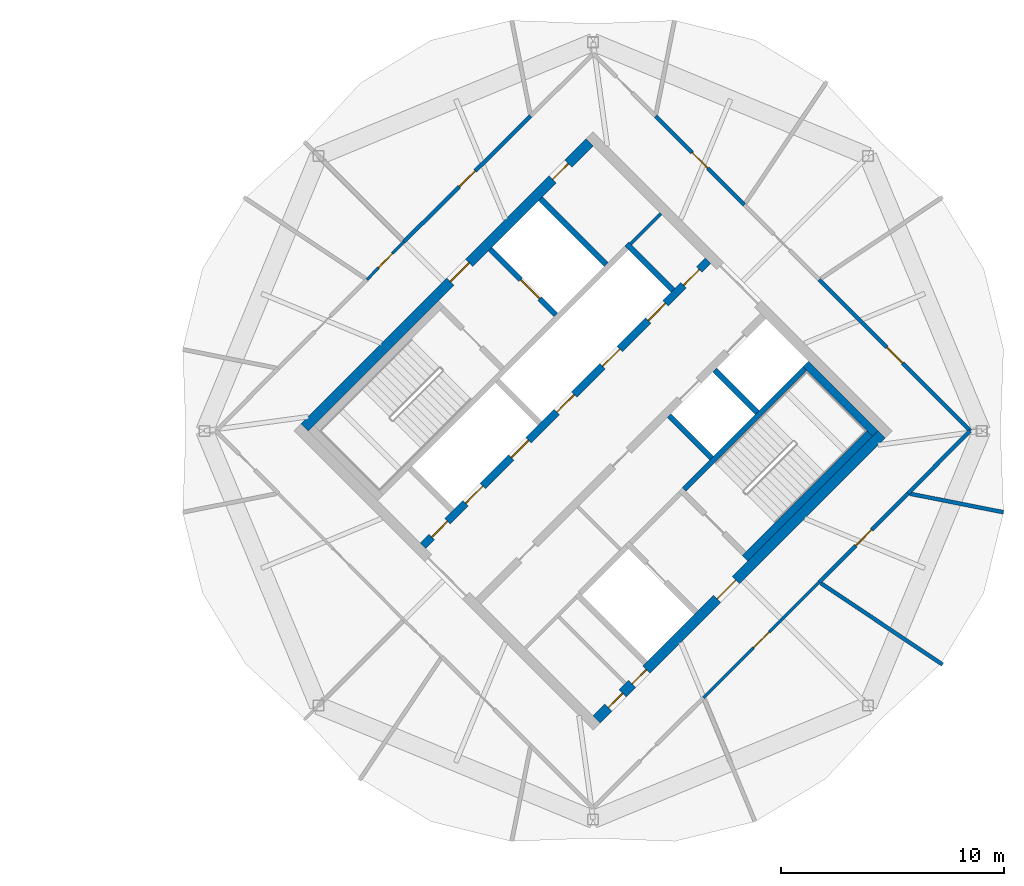
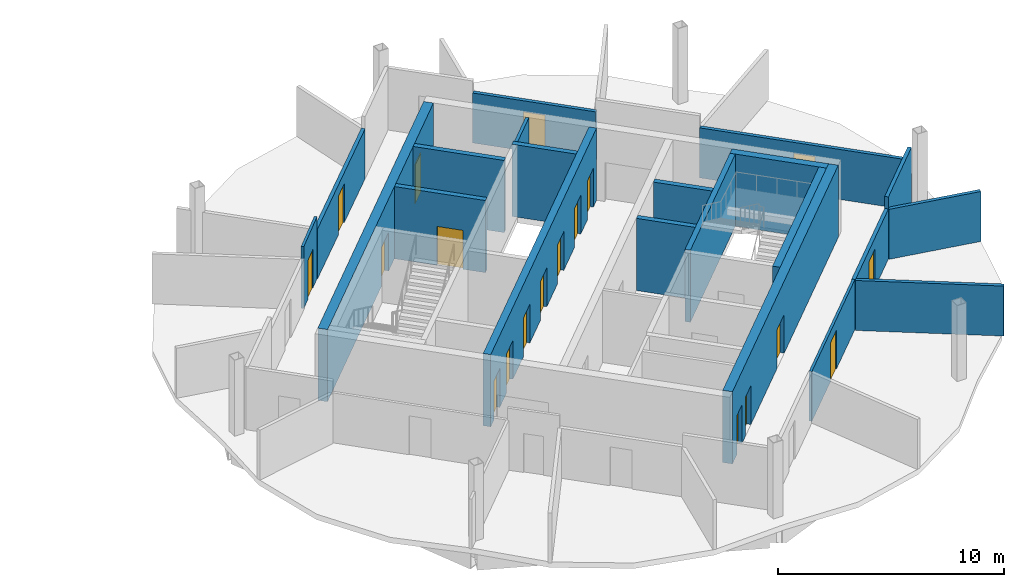
# One storey, part 8 of 11: 21 walls, 19 doors, 19 openings.
"""IFC4 building model written with IfcOpenShell, lengths in metres."""

from ifc_helpers import new_model, si_unit, direction, frame, frame_2d, origin, place, context, subcontext, project, spatial, rectangle, extrude, material, layer, layer_set, type_object, element, fill, save


model = new_model("IFC4")

# Units and contexts
model_context = context("Model", 3, precision=1e-05, world=origin(), true_north=direction((0.0, 1.0)))
body_context = subcontext(model_context, "Body", "Model", "MODEL_VIEW")
ifc_project = project(units=[si_unit("LENGTHUNIT", "METRE"), si_unit("AREAUNIT", "SQUARE_METRE"), si_unit("VOLUMEUNIT", "CUBIC_METRE"), si_unit("PLANEANGLEUNIT", "RADIAN"), si_unit("MASSUNIT", "GRAM", prefix="KILO")], contexts=[model_context])

# Site, building, storey
site_placement = place(None, origin())
site = spatial("IfcSite", under=ifc_project, at=site_placement, CompositionType="ELEMENT")
building_placement = place(site_placement, origin())
building = spatial("IfcBuilding", under=site, at=building_placement, Name="Ogive Gate Towers", CompositionType="ELEMENT")
storey_placement = place(building_placement, frame((0.0, 0.0, 289.800048828125)))
storey = spatial("IfcBuildingStorey", under=building, at=storey_placement, Name="L68", CompositionType="ELEMENT", Elevation=289.800048828125)

# Walls
ifc_material_1 = material(Name="Gypsum board acoustic partition")
ifc_layer_1 = layer(ifc_material_1, 0.175048828125)
ifc_layer_set_1 = layer_set([ifc_layer_1], Name="Acoustic partition 175")
wall_type_1 = type_object("IfcWallType", Name="Acoustic partition 175", PredefinedType="PARTITIONING", material=ifc_layer_set_1)
wall_1_placement = place(storey_placement, frame((51.697509765625, -10.5, 0.0), z_axis=(0.0, 0.0, 1.0), x_axis=(-0.831198479299, 0.555975798045, 0.0)))
element("IfcWall", 1, at=wall_1_placement, inside=storey, type_object=wall_type_1, Name="Partition T2-L68-013", PredefinedType="PARTITIONING", context=body_context, shape_type="SweptSolid", body=[
    extrude(rectangle(XDim=6.57763671875, YDim=0.175048828125, at=frame_2d((3.288818359375, 0.0))), origin(), (0.0, 0.0, 1.0), 2.699951171875),
])
wall_2_placement = place(storey_placement, frame((54.440185546875, -3.658203125, 0.0), z_axis=(0.0, 0.0, 1.0), x_axis=(-0.980890149708, 0.194562365851, 0.0)))
element("IfcWall", 2, at=wall_2_placement, inside=storey, type_object=wall_type_1, Name="Partition T2-L68-014", PredefinedType="PARTITIONING", context=body_context, shape_type="SweptSolid", body=[
    extrude(rectangle(XDim=4.29150390625, YDim=0.175048828125, at=frame_2d((2.145751953125, 0.0))), origin(), (0.0, 0.0, 1.0), 2.699951171875),
])

# Wall, opening, door
wall_3_placement = place(storey_placement, frame((46.15771484375, -6.79443359375, 0.0), z_axis=(0.0, 0.0, 1.0), x_axis=(0.70699854338, 0.707215002428, 0.0)))
wall_3 = element("IfcWall", 3, at=wall_3_placement, inside=storey, type_object=wall_type_1, Name="Partition T2-L68-016", PredefinedType="PARTITIONING", context=body_context, shape_type="SweptSolid", body=[
    extrude(rectangle(XDim=5.639404296875, YDim=0.175048828125, at=frame_2d((2.81982421875, 0.0))), origin(), (0.0, 0.0, 1.0), 2.699951171875),
])
opening_1_placement = place(wall_3_placement, frame((2.320068359375, 0.0, 0.0)))
opening_1 = element("IfcOpeningElement", 4, at=opening_1_placement, cuts=wall_3, Name="Opening T2-L68-D02", PredefinedType="OPENING", context=body_context, shape_type="SweptSolid", body=[
    extrude(rectangle(XDim=1.0, YDim=2.10009765625, at=frame_2d((0.5, 1.050048828125))), frame((0.0, 0.09765625, 0.0), z_axis=(0.0, -1.0, 0.0), x_axis=(1.0, 0.0, 0.0)), (0.0, 0.0, 1.0), 0.195068359375),
])
ifc_material_2 = material(Name="Timber door", Category="wood")
door_type_1 = type_object("IfcDoorType", Name="Door 1000", OperationType="NOTDEFINED", PredefinedType="DOOR", material=ifc_material_2)
door_1_placement = place(opening_1_placement, origin())
door_1 = element("IfcDoor", 5, at=door_1_placement, inside=storey, type_object=door_type_1, Name="Door T2-L68-D02", OperationType="SINGLE_SWING_RIGHT", OverallHeight=2.10009765625, OverallWidth=1.0, PredefinedType="DOOR", context=body_context, shape_type="SweptSolid", body=[
    extrude(rectangle(XDim=1.0, YDim=2.10009765625, at=frame_2d((0.5, 1.050048828125))), frame((0.0, 0.02490234375, 0.0), z_axis=(0.0, -1.0, 0.0), x_axis=(1.0, 0.0, 0.0)), (0.0, 0.0, 1.0), 0.050048828125),
])
fill(opening_1, door_1)

wall_4_placement = place(storey_placement, frame((52.9423828125, 0.0, 0.0), z_axis=(0.0, 0.0, 1.0), x_axis=(-0.706598071469, 0.707615125189, 0.0)))
wall_4 = element("IfcWall", 6, at=wall_4_placement, inside=storey, type_object=wall_type_1, Name="Partition T2-L68-017", PredefinedType="PARTITIONING", context=body_context, shape_type="SweptSolid", body=[
    extrude(rectangle(XDim=9.601806640625, YDim=0.175048828125, at=frame_2d((4.80078125, 0.0))), origin(), (0.0, 0.0, 1.0), 2.699951171875),
])
opening_2_placement = place(wall_4_placement, frame((4.301025390625, 0.0, 0.0)))
opening_2 = element("IfcOpeningElement", 7, at=opening_2_placement, cuts=wall_4, Name="Opening T2-L68-D03", PredefinedType="OPENING", context=body_context, shape_type="SweptSolid", body=[
    extrude(rectangle(XDim=1.0, YDim=2.10009765625, at=frame_2d((0.5, 1.050048828125))), frame((0.0, 0.09765625, 0.0), z_axis=(0.0, -1.0, 0.0), x_axis=(1.0, 0.0, 0.0)), (0.0, 0.0, 1.0), 0.195068359375),
])
door_2_placement = place(opening_2_placement, origin())
door_2 = element("IfcDoor", 8, at=door_2_placement, inside=storey, type_object=door_type_1, Name="Door T2-L68-D03", OperationType="SINGLE_SWING_LEFT", OverallHeight=2.10009765625, OverallWidth=1.0, PredefinedType="DOOR", context=body_context, shape_type="SweptSolid", body=[
    extrude(rectangle(XDim=1.0, YDim=2.10009765625, at=frame_2d((0.5, 1.050048828125))), frame((0.0, 0.02490234375, 0.0), z_axis=(0.0, -1.0, 0.0), x_axis=(1.0, 0.0, 0.0)), (0.0, 0.0, 1.0), 0.050048828125),
])
fill(opening_2, door_2)

# Wall
wall_5_placement = place(storey_placement, frame((50.144775390625, -2.80615234375, 0.0), z_axis=(0.0, 0.0, 1.0), x_axis=(0.706027724956, 0.708184193267, 0.0)))
element("IfcWall", 9, at=wall_5_placement, inside=storey, type_object=wall_type_1, Name="Partition T2-L68-018", PredefinedType="PARTITIONING", context=body_context, shape_type="SweptSolid", body=[
    extrude(rectangle(XDim=3.96240234375, YDim=0.175048828125, at=frame_2d((1.981201171875, 0.0))), origin(), (0.0, 0.0, 1.0), 3.349853515625),
])

# Wall, opening, door
wall_6_placement = place(storey_placement, frame((42.79443359375, 10.15771484375, 0.0), z_axis=(0.0, 0.0, 1.0), x_axis=(-0.707215002428, 0.70699854338, 0.0)))
wall_6 = element("IfcWall", 10, at=wall_6_placement, inside=storey, type_object=wall_type_1, Name="Partition T2-L68-020", PredefinedType="PARTITIONING", context=body_context, shape_type="SweptSolid", body=[
    extrude(rectangle(XDim=5.639404296875, YDim=0.175048828125, at=frame_2d((2.81982421875, 0.0))), origin(), (0.0, 0.0, 1.0), 2.699951171875),
])
opening_3_placement = place(wall_6_placement, frame((2.320068359375, 0.0, 0.0)))
opening_3 = element("IfcOpeningElement", 11, at=opening_3_placement, cuts=wall_6, Name="Opening T2-L68-D05", PredefinedType="OPENING", context=body_context, shape_type="SweptSolid", body=[
    extrude(rectangle(XDim=1.0, YDim=2.10009765625, at=frame_2d((0.5, 1.050048828125))), frame((0.0, 0.09765625, 0.0), z_axis=(0.0, -1.0, 0.0), x_axis=(1.0, 0.0, 0.0)), (0.0, 0.0, 1.0), 0.195068359375),
])
door_3_placement = place(opening_3_placement, origin())
door_3 = element("IfcDoor", 12, at=door_3_placement, inside=storey, type_object=door_type_1, Name="Door T2-L68-D05", OperationType="SINGLE_SWING_RIGHT", OverallHeight=2.10009765625, OverallWidth=1.0, PredefinedType="DOOR", context=body_context, shape_type="SweptSolid", body=[
    extrude(rectangle(XDim=1.0, YDim=2.10009765625, at=frame_2d((0.5, 1.050048828125))), frame((0.0, 0.02490234375, 0.0), z_axis=(0.0, -1.0, 0.0), x_axis=(1.0, 0.0, 0.0)), (0.0, 0.0, 1.0), 0.050048828125),
])
fill(opening_3, door_3)

wall_7_placement = place(storey_placement, frame((33.19384765625, 14.144775390625, 0.0), z_axis=(0.0, 0.0, 1.0), x_axis=(-0.710099769326, -0.704101070588, 0.0)))
wall_7 = element("IfcWall", 13, at=wall_7_placement, inside=storey, type_object=wall_type_1, Name="Partition T2-L68-023", PredefinedType="PARTITIONING", context=body_context, shape_type="SweptSolid", body=[
    extrude(rectangle(XDim=8.017578125, YDim=0.175048828125, at=frame_2d((4.0087890625, 0.0))), origin(), (0.0, 0.0, 1.0), 2.699951171875),
])
opening_4_placement = place(wall_7_placement, frame((3.509033203125, 0.0, 0.0)))
opening_4 = element("IfcOpeningElement", 14, at=opening_4_placement, cuts=wall_7, Name="Opening T2-L68-D07", PredefinedType="OPENING", context=body_context, shape_type="SweptSolid", body=[
    extrude(rectangle(XDim=1.0, YDim=2.10009765625, at=frame_2d((0.5, 1.050048828125))), frame((0.0, 0.09765625, 0.0), z_axis=(0.0, -1.0, 0.0), x_axis=(1.0, 0.0, 0.0)), (0.0, 0.0, 1.0), 0.195068359375),
])
door_4_placement = place(opening_4_placement, origin())
door_4 = element("IfcDoor", 15, at=door_4_placement, inside=storey, type_object=door_type_1, Name="Door T2-L68-D07", OperationType="SINGLE_SWING_RIGHT", OverallHeight=2.10009765625, OverallWidth=1.0, PredefinedType="DOOR", context=body_context, shape_type="SweptSolid", body=[
    extrude(rectangle(XDim=1.0, YDim=2.10009765625, at=frame_2d((0.5, 1.050048828125))), frame((0.0, 0.02490234375, 0.0), z_axis=(0.0, -1.0, 0.0), x_axis=(1.0, 0.0, 0.0)), (0.0, 0.0, 1.0), 0.050048828125),
])
fill(opening_4, door_4)

# Wall, openings, doors
ifc_material_3 = material(Name="Concrete C60/75", Category="concrete")
ifc_layer_2 = layer(ifc_material_3, 0.449951171875)
ifc_layer_set_2 = layer_set([ifc_layer_2], Name="Core wall 450 mm")
wall_type_2 = type_object("IfcWallType", Name="Core wall 450 mm", PredefinedType="SHEAR", material=ifc_layer_set_2)
wall_8_placement = place(storey_placement, frame((36.1591796875, -12.957763671875, 0.0), z_axis=(0.0, 0.0, 1.0), x_axis=(0.707106781187, 0.707106781187, 0.0)))
wall_8 = element("IfcWall", 16, at=wall_8_placement, inside=storey, type_object=wall_type_2, Name="T2 L68 Core wall 450 mm", PredefinedType="SHEAR", context=body_context, shape_type="SweptSolid", body=[
    extrude(rectangle(XDim=18.099853515625, YDim=0.449951171875, at=frame_2d((9.0498046875, 0.0))), origin(), (0.0, 0.0, 1.0), 3.89990234375),
])
opening_5_placement = place(wall_8_placement, frame((7.64990234375, 0.0, 0.0)))
opening_5 = element("IfcOpeningElement", 17, at=opening_5_placement, cuts=wall_8, Name="Opening KD-T2-L68-19", PredefinedType="OPENING", context=body_context, shape_type="SweptSolid", body=[
    extrude(rectangle(XDim=1.199951171875, YDim=2.10009765625, at=frame_2d((0.60009765625, 1.050048828125))), frame((0.0, 0.23486328125, 0.0), z_axis=(0.0, -1.0, 0.0), x_axis=(1.0, 0.0, 0.0)), (0.0, 0.0, 1.0), 0.469970703125),
])
opening_6_placement = place(wall_8_placement, frame((0.75, 0.0, 0.0)))
opening_6 = element("IfcOpeningElement", 18, at=opening_6_placement, cuts=wall_8, Name="Opening KD-T2-L68-21", PredefinedType="OPENING", context=body_context, shape_type="SweptSolid", body=[
    extrude(rectangle(XDim=0.89990234375, YDim=2.10009765625, at=frame_2d((0.449951171875, 1.050048828125))), frame((0.0, 0.23486328125, 0.0), z_axis=(0.0, -1.0, 0.0), x_axis=(1.0, 0.0, 0.0)), (0.0, 0.0, 1.0), 0.469970703125),
])
opening_7_placement = place(wall_8_placement, frame((2.25, 0.0, 0.0)))
opening_7 = element("IfcOpeningElement", 19, at=opening_7_placement, cuts=wall_8, Name="Opening KD-T2-L68-22", PredefinedType="OPENING", context=body_context, shape_type="SweptSolid", body=[
    extrude(rectangle(XDim=0.89990234375, YDim=2.10009765625, at=frame_2d((0.449951171875, 1.050048828125))), frame((0.0, 0.23486328125, 0.0), z_axis=(0.0, -1.0, 0.0), x_axis=(1.0, 0.0, 0.0)), (0.0, 0.0, 1.0), 0.469970703125),
])
door_type_2 = type_object("IfcDoorType", Name="Core WC door 900 x 2100", OperationType="NOTDEFINED", PredefinedType="DOOR", material=ifc_material_2)
door_5_placement = place(opening_6_placement, origin())
door_5 = element("IfcDoor", 20, at=door_5_placement, inside=storey, type_object=door_type_2, Name="T2 L68 Core door", OperationType="SINGLE_SWING_RIGHT", OverallHeight=2.10009765625, OverallWidth=0.89990234375, PredefinedType="DOOR", context=body_context, shape_type="SweptSolid", body=[
    extrude(rectangle(XDim=0.89990234375, YDim=2.10009765625, at=frame_2d((0.449951171875, 1.050048828125))), frame((0.0, 0.02490234375, 0.0), z_axis=(0.0, -1.0, 0.0), x_axis=(1.0, 0.0, 0.0)), (0.0, 0.0, 1.0), 0.050048828125),
])
fill(opening_6, door_5)
door_6_placement = place(opening_7_placement, origin())
door_6 = element("IfcDoor", 21, at=door_6_placement, inside=storey, type_object=door_type_2, Name="T2 L68 Core door", OperationType="SINGLE_SWING_LEFT", OverallHeight=2.10009765625, OverallWidth=0.89990234375, PredefinedType="DOOR", context=body_context, shape_type="SweptSolid", body=[
    extrude(rectangle(XDim=0.89990234375, YDim=2.10009765625, at=frame_2d((0.449951171875, 1.050048828125))), frame((0.0, 0.02490234375, 0.0), z_axis=(0.0, -1.0, 0.0), x_axis=(1.0, 0.0, 0.0)), (0.0, 0.0, 1.0), 0.050048828125),
])
fill(opening_7, door_6)
ifc_material_4 = material(Name="Steel fire door", Category="steel")
door_type_3 = type_object("IfcDoorType", Name="Core door FD60S 1200 x 2100", OperationType="NOTDEFINED", PredefinedType="DOOR", material=ifc_material_4)
door_7_placement = place(opening_5_placement, origin())
door_7 = element("IfcDoor", 22, at=door_7_placement, inside=storey, type_object=door_type_3, Name="T2 L68 Fire-fighting lobby door", OperationType="SINGLE_SWING_RIGHT", OverallHeight=2.10009765625, OverallWidth=1.199951171875, PredefinedType="DOOR", context=body_context, shape_type="SweptSolid", body=[
    extrude(rectangle(XDim=1.199951171875, YDim=2.10009765625, at=frame_2d((0.60009765625, 1.050048828125))), frame((0.0, 0.02490234375, 0.0), z_axis=(0.0, -1.0, 0.0), x_axis=(1.0, 0.0, 0.0)), (0.0, 0.0, 1.0), 0.050048828125),
])
fill(opening_5, door_7)

wall_9_placement = place(storey_placement, frame((23.042236328125, 0.1591796875, 0.0), z_axis=(0.0, 0.0, 1.0), x_axis=(0.707106781187, 0.707106781187, 0.0)))
wall_9 = element("IfcWall", 23, at=wall_9_placement, inside=storey, type_object=wall_type_2, Name="T2 L68 Core wall 450 mm", PredefinedType="SHEAR", context=body_context, shape_type="SweptSolid", body=[
    extrude(rectangle(XDim=18.099853515625, YDim=0.449951171875, at=frame_2d((9.0498046875, 0.0))), origin(), (0.0, 0.0, 1.0), 3.89990234375),
])
opening_8_placement = place(wall_9_placement, frame((9.25, 0.0, 0.0)))
opening_8 = element("IfcOpeningElement", 24, at=opening_8_placement, cuts=wall_9, Name="Opening KD-T2-L68-18", PredefinedType="OPENING", context=body_context, shape_type="SweptSolid", body=[
    extrude(rectangle(XDim=1.199951171875, YDim=2.10009765625, at=frame_2d((0.60009765625, 1.050048828125))), frame((0.0, 0.23486328125, 0.0), z_axis=(0.0, -1.0, 0.0), x_axis=(1.0, 0.0, 0.0)), (0.0, 0.0, 1.0), 0.469970703125),
])
opening_9_placement = place(wall_9_placement, frame((15.75, 0.0, 0.0)))
opening_9 = element("IfcOpeningElement", 25, at=opening_9_placement, cuts=wall_9, Name="Opening KD-T2-L68-20", PredefinedType="OPENING", context=body_context, shape_type="SweptSolid", body=[
    extrude(rectangle(XDim=1.0, YDim=2.10009765625, at=frame_2d((0.5, 1.050048828125))), frame((0.0, 0.23486328125, 0.0), z_axis=(0.0, -1.0, 0.0), x_axis=(1.0, 0.0, 0.0)), (0.0, 0.0, 1.0), 0.469970703125),
])
door_type_4 = type_object("IfcDoorType", Name="Accessible WC door 1000 x 2100", OperationType="NOTDEFINED", PredefinedType="DOOR", material=ifc_material_2)
door_8_placement = place(opening_9_placement, origin())
door_8 = element("IfcDoor", 26, at=door_8_placement, inside=storey, type_object=door_type_4, Name="T2 L68 Core door", OperationType="SINGLE_SWING_LEFT", OverallHeight=2.10009765625, OverallWidth=1.0, PredefinedType="DOOR", context=body_context, shape_type="SweptSolid", body=[
    extrude(rectangle(XDim=1.0, YDim=2.10009765625, at=frame_2d((0.5, 1.050048828125))), frame((0.0, 0.02490234375, 0.0), z_axis=(0.0, -1.0, 0.0), x_axis=(1.0, 0.0, 0.0)), (0.0, 0.0, 1.0), 0.050048828125),
])
fill(opening_9, door_8)
door_9_placement = place(opening_8_placement, origin())
door_9 = element("IfcDoor", 27, at=door_9_placement, inside=storey, type_object=door_type_3, Name="T2 L68 Fire-fighting lobby door", OperationType="SINGLE_SWING_LEFT", OverallHeight=2.10009765625, OverallWidth=1.199951171875, PredefinedType="DOOR", context=body_context, shape_type="SweptSolid", body=[
    extrude(rectangle(XDim=1.199951171875, YDim=2.10009765625, at=frame_2d((0.60009765625, 1.050048828125))), frame((0.0, 0.02490234375, 0.0), z_axis=(0.0, -1.0, 0.0), x_axis=(1.0, 0.0, 0.0)), (0.0, 0.0, 1.0), 0.050048828125),
])
fill(opening_8, door_9)

# Wall, opening, door
ifc_material_5 = material(Name="Gypsum board partition")
ifc_layer_3 = layer(ifc_material_5, 0.125)
ifc_layer_set_3 = layer_set([ifc_layer_3], Name="Partition 125")
wall_type_3 = type_object("IfcWallType", Name="Partition 125", PredefinedType="PARTITIONING", material=ifc_layer_set_3)
wall_10_placement = place(storey_placement, frame((40.9638671875, -11.98388671875, 0.0), z_axis=(0.0, 0.0, 1.0), x_axis=(0.7074059871, 0.706807448613, 0.0)))
wall_10 = element("IfcWall", 28, at=wall_10_placement, inside=storey, type_object=wall_type_3, Name="Partition T2-L68-015", PredefinedType="PARTITIONING", context=body_context, shape_type="SweptSolid", body=[
    extrude(rectangle(XDim=7.342041015625, YDim=0.125, at=frame_2d((3.6708984375, 0.0))), origin(), (0.0, 0.0, 1.0), 2.699951171875),
])
opening_10_placement = place(wall_10_placement, frame((3.1708984375, 0.0, 0.0)))
opening_10 = element("IfcOpeningElement", 29, at=opening_10_placement, cuts=wall_10, Name="Opening T2-L68-D01", PredefinedType="OPENING", context=body_context, shape_type="SweptSolid", body=[
    extrude(rectangle(XDim=1.0, YDim=2.10009765625, at=frame_2d((0.5, 1.050048828125))), frame((0.0, 0.072509765625, 0.0), z_axis=(0.0, -1.0, 0.0), x_axis=(1.0, 0.0, 0.0)), (0.0, 0.0, 1.0), 0.14501953125),
])
door_10_placement = place(opening_10_placement, origin())
door_10 = element("IfcDoor", 30, at=door_10_placement, inside=storey, type_object=door_type_1, Name="Door T2-L68-D01", OperationType="SINGLE_SWING_LEFT", OverallHeight=2.10009765625, OverallWidth=1.0, PredefinedType="DOOR", context=body_context, shape_type="SweptSolid", body=[
    extrude(rectangle(XDim=1.0, YDim=2.10009765625, at=frame_2d((0.5, 1.050048828125))), frame((0.0, 0.02490234375, 0.0), z_axis=(0.0, -1.0, 0.0), x_axis=(1.0, 0.0, 0.0)), (0.0, 0.0, 1.0), 0.050048828125),
])
fill(opening_10, door_10)

wall_11_placement = place(storey_placement, frame((27.50048828125, 8.49951171875, 0.0), z_axis=(0.0, 0.0, 1.0), x_axis=(-0.697183924464, -0.716892303954, 0.0)))
wall_11 = element("IfcWall", 31, at=wall_11_placement, inside=storey, type_object=wall_type_3, Name="Partition T2-L68-024", PredefinedType="PARTITIONING", context=body_context, shape_type="SweptSolid", body=[
    extrude(rectangle(XDim=2.37841796875, YDim=0.125, at=frame_2d((1.189208984375, 0.0))), origin(), (0.0, 0.0, 1.0), 3.349853515625),
])
opening_11_placement = place(wall_11_placement, frame((0.739013671875, 0.0, 0.0)))
opening_11 = element("IfcOpeningElement", 32, at=opening_11_placement, cuts=wall_11, Name="Opening T2-L68-D08", PredefinedType="OPENING", context=body_context, shape_type="SweptSolid", body=[
    extrude(rectangle(XDim=0.89990234375, YDim=2.10009765625, at=frame_2d((0.449951171875, 1.050048828125))), frame((0.0, 0.072509765625, 0.0), z_axis=(0.0, -1.0, 0.0), x_axis=(1.0, 0.0, 0.0)), (0.0, 0.0, 1.0), 0.14501953125),
])
door_type_5 = type_object("IfcDoorType", Name="Door 900", OperationType="NOTDEFINED", PredefinedType="DOOR", material=ifc_material_2)
door_11_placement = place(opening_11_placement, origin())
door_11 = element("IfcDoor", 33, at=door_11_placement, inside=storey, type_object=door_type_5, Name="Door T2-L68-D08", OperationType="SINGLE_SWING_LEFT", OverallHeight=2.10009765625, OverallWidth=0.89990234375, PredefinedType="DOOR", context=body_context, shape_type="SweptSolid", body=[
    extrude(rectangle(XDim=0.89990234375, YDim=2.10009765625, at=frame_2d((0.449951171875, 1.050048828125))), frame((0.0, 0.02490234375, 0.0), z_axis=(0.0, -1.0, 0.0), x_axis=(1.0, 0.0, 0.0)), (0.0, 0.0, 1.0), 0.050048828125),
])
fill(opening_11, door_11)

# Walls
ifc_layer_4 = layer(ifc_material_5, 0.14990234375)
ifc_layer_set_4 = layer_set([ifc_layer_4], Name="Room partition 150 mm")
wall_type_4 = type_object("IfcWallType", Name="Room partition 150 mm", PredefinedType="PARTITIONING", material=ifc_layer_set_4)
wall_12_placement = place(storey_placement, frame((37.679443359375, 8.39697265625, 0.0), z_axis=(0.0, 0.0, 1.0), x_axis=(0.707106781187, 0.707106781187, 0.0)))
element("IfcWall", 34, at=wall_12_placement, inside=storey, type_object=wall_type_4, Name="T2 L68 Room partition 150 mm", PredefinedType="PARTITIONING", context=body_context, shape_type="SweptSolid", body=[
    extrude(rectangle(XDim=1.9248046875, YDim=0.14990234375, at=frame_2d((0.96240234375, 0.0))), origin(), (0.0, 0.0, 1.0), 3.89990234375),
])
ifc_layer_5 = layer(ifc_material_3, 0.25)
ifc_layer_set_5 = layer_set([ifc_layer_5], Name="Shaft wall 250 mm")
wall_type_5 = type_object("IfcWallType", Name="Shaft wall 250 mm", PredefinedType="SHEAR", material=ifc_layer_set_5)
wall_13_placement = place(storey_placement, frame((40.08349609375, -2.634033203125, 0.0), z_axis=(0.0, 0.0, 1.0), x_axis=(0.707090876314, 0.707122685701, 0.0)))
element("IfcWall", 35, at=wall_13_placement, inside=storey, type_object=wall_type_5, Name="T2 L68 Shaft wall 250 mm", PredefinedType="SHEAR", context=body_context, shape_type="SweptSolid", body=[
    extrude(rectangle(XDim=7.675048828125, YDim=0.25, at=frame_2d((3.83740234375, 0.0))), origin(), (0.0, 0.0, 1.0), 3.89990234375),
])

# Wall, opening, door
wall_14_placement = place(storey_placement, frame((34.320556640625, 5.21484375, 0.0), z_axis=(0.0, 0.0, 1.0), x_axis=(-0.707106781187, 0.707106781187, 0.0)))
wall_14 = element("IfcWall", 36, at=wall_14_placement, inside=storey, type_object=wall_type_5, Name="T2 L68 Shaft wall 250 mm", PredefinedType="SHEAR", context=body_context, shape_type="SweptSolid", body=[
    extrude(rectangle(XDim=4.175048828125, YDim=0.25, at=frame_2d((2.08740234375, 0.0))), origin(), (0.0, 0.0, 1.0), 3.89990234375),
])
opening_12_placement = place(wall_14_placement, frame((1.02490234375, 0.0, 0.0)))
opening_12 = element("IfcOpeningElement", 37, at=opening_12_placement, cuts=wall_14, Name="Opening LD-T2-L68-12", PredefinedType="OPENING", context=body_context, shape_type="SweptSolid", body=[
    extrude(rectangle(XDim=1.199951171875, YDim=2.10009765625, at=frame_2d((0.60009765625, 1.050048828125))), frame((0.0, 0.135009765625, 0.0), z_axis=(0.0, -1.0, 0.0), x_axis=(1.0, 0.0, 0.0)), (0.0, 0.0, 1.0), 0.27001953125),
])
ifc_material_6 = material(Name="Stainless steel landing door", Category="steel")
door_type_6 = type_object("IfcDoorType", Name="Landing door 1200 x 2100", OperationType="SLIDING_TO_LEFT", PredefinedType="DOOR", material=ifc_material_6)
door_12_placement = place(opening_12_placement, origin())
door_12 = element("IfcDoor", 38, at=door_12_placement, inside=storey, type_object=door_type_6, Name="T2 L68 Lift landing door FF1", OperationType="SLIDING_TO_LEFT", OverallHeight=2.10009765625, OverallWidth=1.199951171875, PredefinedType="DOOR", context=body_context, shape_type="SweptSolid", body=[
    extrude(rectangle(XDim=1.199951171875, YDim=2.10009765625, at=frame_2d((0.60009765625, 1.050048828125))), frame((0.0, 0.02490234375, 0.0), z_axis=(0.0, -1.0, 0.0), x_axis=(1.0, 0.0, 0.0)), (0.0, 0.0, 1.0), 0.050048828125),
])
fill(opening_12, door_12)

# Walls
wall_15_placement = place(storey_placement, frame((41.321044921875, -1.2197265625, 0.0), z_axis=(0.0, 0.0, 1.0), x_axis=(-0.707106781187, 0.707106781187, 0.0)))
element("IfcWall", 39, at=wall_15_placement, inside=storey, type_object=wall_type_5, Name="T2 L68 Shaft wall 250 mm", PredefinedType="SHEAR", context=body_context, shape_type="SweptSolid", body=[
    extrude(rectangle(XDim=2.699951171875, YDim=0.25, at=frame_2d((1.35009765625, 0.0))), origin(), (0.0, 0.0, 1.0), 3.89990234375),
])
wall_16_placement = place(storey_placement, frame((36.58349609375, 7.477783203125, 0.0), z_axis=(0.0, 0.0, 1.0), x_axis=(-0.707165256008, 0.707048301529, 0.0)))
element("IfcWall", 40, at=wall_16_placement, inside=storey, type_object=wall_type_5, Name="T2 L68 Shaft wall 250 mm", PredefinedType="SHEAR", context=body_context, shape_type="SweptSolid", body=[
    extrude(rectangle(XDim=4.175048828125, YDim=0.25, at=frame_2d((2.08740234375, 0.0))), origin(), (0.0, 0.0, 1.0), 3.89990234375),
])
wall_17_placement = place(storey_placement, frame((43.37158203125, 0.830810546875, 0.0), z_axis=(0.0, 0.0, 1.0), x_axis=(-0.707106781187, 0.707106781187, 0.0)))
element("IfcWall", 41, at=wall_17_placement, inside=storey, type_object=wall_type_5, Name="T2 L68 Shaft wall 250 mm", PredefinedType="SHEAR", context=body_context, shape_type="SweptSolid", body=[
    extrude(rectangle(XDim=2.699951171875, YDim=0.25, at=frame_2d((1.35009765625, 0.0))), origin(), (0.0, 0.0, 1.0), 3.89990234375),
])
wall_18_placement = place(storey_placement, frame((39.588623046875, 6.310791015625, 0.0), z_axis=(0.0, 0.0, 1.0), x_axis=(-0.707065402085, 0.707148157867, 0.0)))
element("IfcWall", 42, at=wall_18_placement, inside=storey, type_object=wall_type_5, Name="T2 L68 Shaft wall 250 mm", PredefinedType="SHEAR", context=body_context, shape_type="SweptSolid", body=[
    extrude(rectangle(XDim=2.9501953125, YDim=0.25, at=frame_2d((1.47509765625, 0.0))), origin(), (0.0, 0.0, 1.0), 3.89990234375),
])

# Wall, openings, doors
ifc_layer_6 = layer(ifc_material_3, 0.35009765625)
ifc_layer_set_6 = layer_set([ifc_layer_6], Name="Spine wall 350 mm")
wall_type_6 = type_object("IfcWallType", Name="Spine wall 350 mm", PredefinedType="SHEAR", material=ifc_layer_set_6)
wall_19_placement = place(storey_placement, frame((28.36328125, -5.161865234375, 0.0), z_axis=(0.0, 0.0, 1.0), x_axis=(0.707106781187, 0.707106781187, 0.0)))
wall_19 = element("IfcWall", 43, at=wall_19_placement, inside=storey, type_object=wall_type_6, Name="T2 L68 Spine wall 350 mm", PredefinedType="SHEAR", context=body_context, shape_type="SweptSolid", body=[
    extrude(rectangle(XDim=18.099853515625, YDim=0.35009765625, at=frame_2d((9.0498046875, 0.0))), origin(), (0.0, 0.0, 1.0), 3.89990234375),
])
opening_13_placement = place(wall_19_placement, frame((0.550048828125, 0.0, 0.0)))
opening_13 = element("IfcOpeningElement", 44, at=opening_13_placement, cuts=wall_19, Name="Opening KD-T2-L68-03", PredefinedType="OPENING", context=body_context, shape_type="SweptSolid", body=[
    extrude(rectangle(XDim=1.0, YDim=2.10009765625, at=frame_2d((0.5, 1.050048828125))), frame((0.0, 0.18505859375, 0.0), z_axis=(0.0, -1.0, 0.0), x_axis=(1.0, 0.0, 0.0)), (0.0, 0.0, 1.0), 0.3701171875),
])
opening_14_placement = place(wall_19_placement, frame((2.699951171875, 0.0, 0.0)))
opening_14 = element("IfcOpeningElement", 45, at=opening_14_placement, cuts=wall_19, Name="Opening LD-T2-L68-04", PredefinedType="OPENING", context=body_context, shape_type="SweptSolid", body=[
    extrude(rectangle(XDim=1.10009765625, YDim=2.10009765625, at=frame_2d((0.550048828125, 1.050048828125))), frame((0.0, 0.18505859375, 0.0), z_axis=(0.0, -1.0, 0.0), x_axis=(1.0, 0.0, 0.0)), (0.0, 0.0, 1.0), 0.3701171875),
])
opening_15_placement = place(wall_19_placement, frame((5.60009765625, 0.0, 0.0)))
opening_15 = element("IfcOpeningElement", 46, at=opening_15_placement, cuts=wall_19, Name="Opening LD-T2-L68-05", PredefinedType="OPENING", context=body_context, shape_type="SweptSolid", body=[
    extrude(rectangle(XDim=1.10009765625, YDim=2.10009765625, at=frame_2d((0.550048828125, 1.050048828125))), frame((0.0, 0.18505859375, 0.0), z_axis=(0.0, -1.0, 0.0), x_axis=(1.0, 0.0, 0.0)), (0.0, 0.0, 1.0), 0.3701171875),
])
opening_16_placement = place(wall_19_placement, frame((8.5, 0.0, 0.0)))
opening_16 = element("IfcOpeningElement", 47, at=opening_16_placement, cuts=wall_19, Name="Opening LD-T2-L68-06", PredefinedType="OPENING", context=body_context, shape_type="SweptSolid", body=[
    extrude(rectangle(XDim=1.10009765625, YDim=2.10009765625, at=frame_2d((0.550048828125, 1.050048828125))), frame((0.0, 0.18505859375, 0.0), z_axis=(0.0, -1.0, 0.0), x_axis=(1.0, 0.0, 0.0)), (0.0, 0.0, 1.0), 0.3701171875),
])
opening_17_placement = place(wall_19_placement, frame((11.39990234375, 0.0, 0.0)))
opening_17 = element("IfcOpeningElement", 48, at=opening_17_placement, cuts=wall_19, Name="Opening LD-T2-L68-07", PredefinedType="OPENING", context=body_context, shape_type="SweptSolid", body=[
    extrude(rectangle(XDim=1.10009765625, YDim=2.10009765625, at=frame_2d((0.550048828125, 1.050048828125))), frame((0.0, 0.18505859375, 0.0), z_axis=(0.0, -1.0, 0.0), x_axis=(1.0, 0.0, 0.0)), (0.0, 0.0, 1.0), 0.3701171875),
])
opening_18_placement = place(wall_19_placement, frame((14.300048828125, 0.0, 0.0)))
opening_18 = element("IfcOpeningElement", 49, at=opening_18_placement, cuts=wall_19, Name="Opening LD-T2-L68-08", PredefinedType="OPENING", context=body_context, shape_type="SweptSolid", body=[
    extrude(rectangle(XDim=1.10009765625, YDim=2.10009765625, at=frame_2d((0.550048828125, 1.050048828125))), frame((0.0, 0.18505859375, 0.0), z_axis=(0.0, -1.0, 0.0), x_axis=(1.0, 0.0, 0.0)), (0.0, 0.0, 1.0), 0.3701171875),
])
opening_19_placement = place(wall_19_placement, frame((16.550048828125, 0.0, 0.0)))
opening_19 = element("IfcOpeningElement", 50, at=opening_19_placement, cuts=wall_19, Name="Opening KD-T2-L68-09", PredefinedType="OPENING", context=body_context, shape_type="SweptSolid", body=[
    extrude(rectangle(XDim=1.0, YDim=2.10009765625, at=frame_2d((0.5, 1.050048828125))), frame((0.0, 0.18505859375, 0.0), z_axis=(0.0, -1.0, 0.0), x_axis=(1.0, 0.0, 0.0)), (0.0, 0.0, 1.0), 0.3701171875),
])
door_type_7 = type_object("IfcDoorType", Name="Core door FD60S 1000 x 2100", OperationType="NOTDEFINED", PredefinedType="DOOR", material=ifc_material_4)
door_13_placement = place(opening_13_placement, origin())
door_13 = element("IfcDoor", 51, at=door_13_placement, inside=storey, type_object=door_type_7, Name="T2 L68 Core door", OperationType="SINGLE_SWING_RIGHT", OverallHeight=2.10009765625, OverallWidth=1.0, PredefinedType="DOOR", context=body_context, shape_type="SweptSolid", body=[
    extrude(rectangle(XDim=1.0, YDim=2.10009765625, at=frame_2d((0.5, 1.050048828125))), frame((0.0, 0.02490234375, 0.0), z_axis=(0.0, -1.0, 0.0), x_axis=(1.0, 0.0, 0.0)), (0.0, 0.0, 1.0), 0.050048828125),
])
fill(opening_13, door_13)
door_14_placement = place(opening_19_placement, origin())
door_14 = element("IfcDoor", 52, at=door_14_placement, inside=storey, type_object=door_type_7, Name="T2 L68 Core door", OperationType="SINGLE_SWING_RIGHT", OverallHeight=2.10009765625, OverallWidth=1.0, PredefinedType="DOOR", context=body_context, shape_type="SweptSolid", body=[
    extrude(rectangle(XDim=1.0, YDim=2.10009765625, at=frame_2d((0.5, 1.050048828125))), frame((0.0, 0.02490234375, 0.0), z_axis=(0.0, -1.0, 0.0), x_axis=(1.0, 0.0, 0.0)), (0.0, 0.0, 1.0), 0.050048828125),
])
fill(opening_19, door_14)
door_type_8 = type_object("IfcDoorType", Name="Landing door 1100 x 2100", OperationType="SLIDING_TO_LEFT", PredefinedType="DOOR", material=ifc_material_6)
door_15_placement = place(opening_14_placement, origin())
door_15 = element("IfcDoor", 53, at=door_15_placement, inside=storey, type_object=door_type_8, Name="T2 L68 Lift landing door B1", OperationType="SLIDING_TO_LEFT", OverallHeight=2.10009765625, OverallWidth=1.10009765625, PredefinedType="DOOR", context=body_context, shape_type="SweptSolid", body=[
    extrude(rectangle(XDim=1.10009765625, YDim=2.10009765625, at=frame_2d((0.550048828125, 1.050048828125))), frame((0.0, 0.02490234375, 0.0), z_axis=(0.0, -1.0, 0.0), x_axis=(1.0, 0.0, 0.0)), (0.0, 0.0, 1.0), 0.050048828125),
])
fill(opening_14, door_15)
door_16_placement = place(opening_15_placement, origin())
door_16 = element("IfcDoor", 54, at=door_16_placement, inside=storey, type_object=door_type_8, Name="T2 L68 Lift landing door B2", OperationType="SLIDING_TO_LEFT", OverallHeight=2.10009765625, OverallWidth=1.10009765625, PredefinedType="DOOR", context=body_context, shape_type="SweptSolid", body=[
    extrude(rectangle(XDim=1.10009765625, YDim=2.10009765625, at=frame_2d((0.550048828125, 1.050048828125))), frame((0.0, 0.02490234375, 0.0), z_axis=(0.0, -1.0, 0.0), x_axis=(1.0, 0.0, 0.0)), (0.0, 0.0, 1.0), 0.050048828125),
])
fill(opening_15, door_16)
door_17_placement = place(opening_16_placement, origin())
door_17 = element("IfcDoor", 55, at=door_17_placement, inside=storey, type_object=door_type_8, Name="T2 L68 Lift landing door B3", OperationType="SLIDING_TO_LEFT", OverallHeight=2.10009765625, OverallWidth=1.10009765625, PredefinedType="DOOR", context=body_context, shape_type="SweptSolid", body=[
    extrude(rectangle(XDim=1.10009765625, YDim=2.10009765625, at=frame_2d((0.550048828125, 1.050048828125))), frame((0.0, 0.02490234375, 0.0), z_axis=(0.0, -1.0, 0.0), x_axis=(1.0, 0.0, 0.0)), (0.0, 0.0, 1.0), 0.050048828125),
])
fill(opening_16, door_17)
door_18_placement = place(opening_17_placement, origin())
door_18 = element("IfcDoor", 56, at=door_18_placement, inside=storey, type_object=door_type_8, Name="T2 L68 Lift landing door B4", OperationType="SLIDING_TO_LEFT", OverallHeight=2.10009765625, OverallWidth=1.10009765625, PredefinedType="DOOR", context=body_context, shape_type="SweptSolid", body=[
    extrude(rectangle(XDim=1.10009765625, YDim=2.10009765625, at=frame_2d((0.550048828125, 1.050048828125))), frame((0.0, 0.02490234375, 0.0), z_axis=(0.0, -1.0, 0.0), x_axis=(1.0, 0.0, 0.0)), (0.0, 0.0, 1.0), 0.050048828125),
])
fill(opening_17, door_18)
door_19_placement = place(opening_18_placement, origin())
door_19 = element("IfcDoor", 57, at=door_19_placement, inside=storey, type_object=door_type_8, Name="T2 L68 Lift landing door B5", OperationType="SLIDING_TO_LEFT", OverallHeight=2.10009765625, OverallWidth=1.10009765625, PredefinedType="DOOR", context=body_context, shape_type="SweptSolid", body=[
    extrude(rectangle(XDim=1.10009765625, YDim=2.10009765625, at=frame_2d((0.550048828125, 1.050048828125))), frame((0.0, 0.02490234375, 0.0), z_axis=(0.0, -1.0, 0.0), x_axis=(1.0, 0.0, 0.0)), (0.0, 0.0, 1.0), 0.050048828125),
])
fill(opening_18, door_19)

# Walls
ifc_layer_7 = layer(ifc_material_3, 0.35009765625)
ifc_layer_set_7 = layer_set([ifc_layer_7], Name="Stair wall 350 mm")
wall_type_7 = type_object("IfcWallType", Name="Stair wall 350 mm", PredefinedType="SHEAR", material=ifc_layer_set_7)
wall_20_placement = place(storey_placement, frame((42.823486328125, -5.7275390625, 0.0), z_axis=(0.0, 0.0, 1.0), x_axis=(0.707122184046, 0.707091377991, 0.0)))
element("IfcWall", 58, at=wall_20_placement, inside=storey, type_object=wall_type_7, Name="T2 L68 Stair wall 350 mm", PredefinedType="SHEAR", context=body_context, shape_type="SweptSolid", body=[
    extrude(rectangle(XDim=7.925048828125, YDim=0.35009765625, at=frame_2d((3.96240234375, 0.0))), origin(), (0.0, 0.0, 1.0), 3.89990234375),
])
wall_21_placement = place(storey_placement, frame((48.6748046875, -0.123779296875, 0.0), z_axis=(0.0, 0.0, 1.0), x_axis=(-0.707106781187, 0.707106781187, 0.0)))
element("IfcWall", 59, at=wall_21_placement, inside=storey, type_object=wall_type_7, Name="T2 L68 Stair wall 350 mm", PredefinedType="SHEAR", context=body_context, shape_type="SweptSolid", body=[
    extrude(rectangle(XDim=4.425048828125, YDim=0.35009765625, at=frame_2d((2.21240234375, 0.0))), origin(), (0.0, 0.0, 1.0), 3.89990234375),
])

save(model, "model.ifc")
